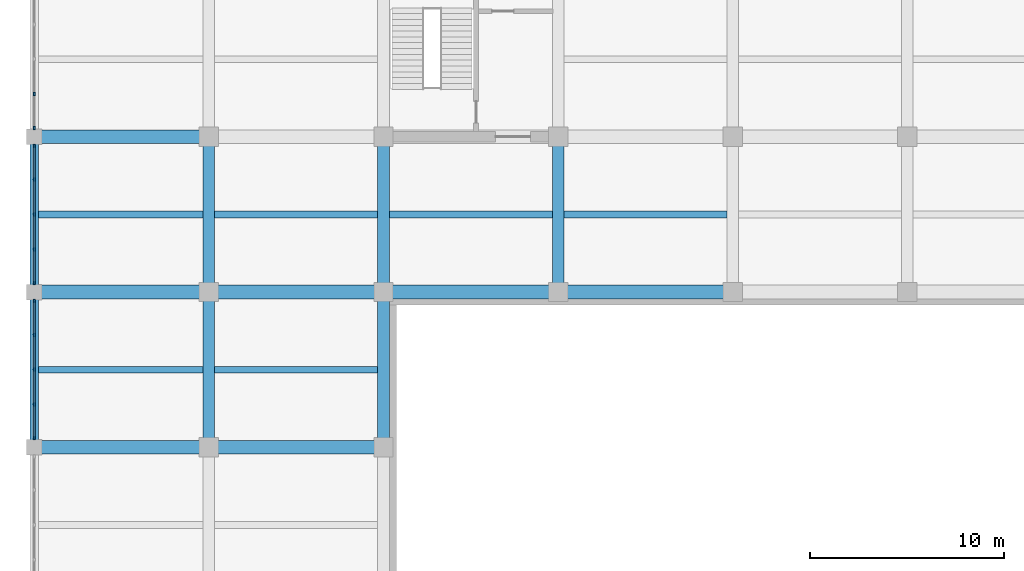
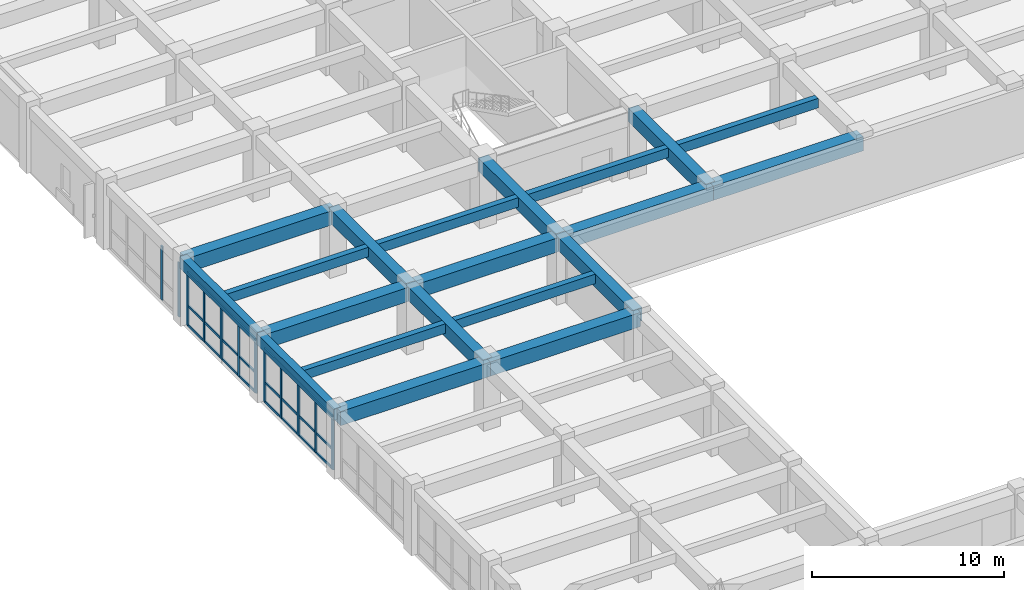
# One storey, part 13 of 50: 20 beams, 18 members, 3 elements without a shape of their own.
"""IFC4 building model written with IfcOpenShell, lengths in metres."""

from ifc_helpers import new_model, si_unit, direction, frame, origin, origin_2d, place, context, subcontext, project, spatial, rectangle, extrude, material, material_profile, profile_set, type_object, element, aggregate, save


model = new_model("IFC4")

# Units and contexts
model_context = context("Model", 3, precision=1e-05, world=origin(), true_north=direction((0.0, 1.0)))
body_context = subcontext(model_context, "Body", "Model", "MODEL_VIEW")
ifc_project = project(units=[si_unit("LENGTHUNIT", "METRE"), si_unit("AREAUNIT", "SQUARE_METRE"), si_unit("VOLUMEUNIT", "CUBIC_METRE"), si_unit("PLANEANGLEUNIT", "RADIAN"), si_unit("MASSUNIT", "GRAM", prefix="KILO")], contexts=[model_context])

# Site, building, storey
site_placement = place(None, origin())
site = spatial("IfcSite", under=ifc_project, at=site_placement, CompositionType="ELEMENT")
building_placement = place(site_placement, origin())
building = spatial("IfcBuilding", under=site, at=building_placement, Name="Zaverband Oceanarium and Marine Research Institute", CompositionType="ELEMENT")
storey_placement = place(building_placement, frame((0.0, 0.0, 9.0)))
storey = spatial("IfcBuildingStorey", under=building, at=storey_placement, Name="L02", CompositionType="ELEMENT", Elevation=9.0)

# Beams
ifc_material_1 = material(Name="Concrete C40/50", Category="concrete")
ifc_material_profile_1 = material_profile(ifc_material_1, rectangle(XDim=0.60009765625, YDim=0.85009765625, at=origin_2d()), Name="RC600x850")
ifc_profile_set_1 = profile_set([ifc_material_profile_1], Name="Concrete C40/50")
beam_type_1 = type_object("IfcBeamType", Name="BM-600x850", PredefinedType="BEAM", material=ifc_profile_set_1)
for number, where, z_axis, x_axis, name in (
    (1, (9.0, 64.0, 3.715087890625), (0.0, 1.0, 0.0), (-1.0, 0.0, 0.0), "Primary floor girder BM-600x850"),
    (2, (9.0, 72.0, 3.715087890625), (0.0, 1.0, 0.0), (-1.0, 0.0, 0.0), "Primary floor girder BM-600x850"),
    (3, (18.0, 64.0, 3.715087890625), (0.0, 1.0, 0.0), (-1.0, 0.0, 0.0), "Primary floor girder BM-600x850"),
    (4, (18.0, 72.0, 3.715087890625), (0.0, 1.0, 0.0), (-1.0, 0.0, 0.0), "Primary floor girder BM-600x850"),
    (5, (27.0, 72.0, 3.715087890625), (0.0, 1.0, 0.0), (-1.0, 0.0, 0.0), "Primary floor girder BM-600x850"),
):
    element("IfcBeam", number, at=place(storey_placement, frame(where, z_axis=z_axis, x_axis=x_axis)), inside=storey, type_object=beam_type_1, Name=name, PredefinedType="BEAM", context=body_context, shape_type="SweptSolid", body=[
        extrude(rectangle(XDim=0.60009765625, YDim=0.85009765625, at=origin_2d()), origin(), (0.0, 0.0, 1.0), 8.0),
    ])
ifc_material_profile_2 = material_profile(ifc_material_1, rectangle(XDim=0.699951171875, YDim=0.89990234375, at=origin_2d()), Name="RC700x900")
ifc_profile_set_2 = profile_set([ifc_material_profile_2], Name="Concrete C40/50")
beam_type_2 = type_object("IfcBeamType", Name="BM-700x900", PredefinedType="BEAM", material=ifc_profile_set_2)
for number, where, z_axis, x_axis, name in (
    (6, (0.0, 64.0, 3.68994140625), (1.0, 0.0, 0.0), (0.0, 1.0, 0.0), "Primary floor girder BM-700x900"),
    (7, (9.0, 64.0, 3.68994140625), (1.0, 0.0, 0.0), (0.0, 1.0, 0.0), "Primary floor girder BM-700x900"),
    (8, (0.0, 72.0, 3.68994140625), (1.0, 0.0, 0.0), (0.0, 1.0, 0.0), "Primary floor girder BM-700x900"),
    (9, (9.0, 72.0, 3.68994140625), (1.0, 0.0, 0.0), (0.0, 1.0, 0.0), "Primary floor girder BM-700x900"),
    (10, (18.0, 72.0, 3.68994140625), (1.0, 0.0, 0.0), (0.0, 1.0, 0.0), "Primary floor girder BM-700x900"),
    (11, (27.0, 72.0, 3.68994140625), (1.0, 0.0, 0.0), (0.0, 1.0, 0.0), "Primary floor girder BM-700x900"),
    (12, (0.0, 80.0, 3.68994140625), (1.0, 0.0, 0.0), (0.0, 1.0, 0.0), "Primary floor girder BM-700x900"),
):
    element("IfcBeam", number, at=place(storey_placement, frame(where, z_axis=z_axis, x_axis=x_axis)), inside=storey, type_object=beam_type_2, Name=name, PredefinedType="BEAM", context=body_context, shape_type="SweptSolid", body=[
        extrude(rectangle(XDim=0.699951171875, YDim=0.89990234375, at=origin_2d()), origin(), (0.0, 0.0, 1.0), 9.0),
    ])
ifc_material_profile_3 = material_profile(ifc_material_1, rectangle(XDim=0.35009765625, YDim=0.60009765625, at=origin_2d()), Name="RC350x600")
ifc_profile_set_3 = profile_set([ifc_material_profile_3], Name="Concrete C40/50")
beam_type_3 = type_object("IfcBeamType", Name="JST-350x600", PredefinedType="JOIST", material=ifc_profile_set_3)
for number, where, z_axis, x_axis, name in (
    (13, (0.22509765625, 68.0, 3.840087890625), (1.0, 0.0, 0.0), (0.0, 1.0, 0.0), "Secondary floor joist JST-350x600"),
    (14, (0.22509765625, 76.0, 3.840087890625), (1.0, 0.0, 0.0), (0.0, 1.0, 0.0), "Secondary floor joist JST-350x600"),
):
    element("IfcBeam", number, at=place(storey_placement, frame(where, z_axis=z_axis, x_axis=x_axis)), inside=storey, type_object=beam_type_3, Name=name, PredefinedType="JOIST", context=body_context, shape_type="SweptSolid", body=[
        extrude(rectangle(XDim=0.35009765625, YDim=0.60009765625, at=origin_2d()), origin(), (0.0, 0.0, 1.0), 8.474853515625),
    ])
for number, where, z_axis, x_axis, name in (
    (15, (9.300048828125, 68.0, 3.840087890625), (1.0, 0.0, 0.0), (0.0, 1.0, 0.0), "Secondary floor joist JST-350x600"),
    (16, (9.300048828125, 76.0, 3.840087890625), (1.0, 0.0, 0.0), (0.0, 1.0, 0.0), "Secondary floor joist JST-350x600"),
    (17, (18.300048828125, 76.0, 3.840087890625), (1.0, 0.0, 0.0), (0.0, 1.0, 0.0), "Secondary floor joist JST-350x600"),
    (18, (27.300048828125, 76.0, 3.840087890625), (1.0, 0.0, 0.0), (0.0, 1.0, 0.0), "Secondary floor joist JST-350x600"),
):
    element("IfcBeam", number, at=place(storey_placement, frame(where, z_axis=z_axis, x_axis=x_axis)), inside=storey, type_object=beam_type_3, Name=name, PredefinedType="JOIST", context=body_context, shape_type="SweptSolid", body=[
        extrude(rectangle(XDim=0.35009765625, YDim=0.60009765625, at=origin_2d()), origin(), (0.0, 0.0, 1.0), 8.39990234375),
    ])

# Curtain wall, members
ifc_material_2 = material(Name="Thermally broken anodized aluminium and solar-control glass", Category="aluminium")
curtain_wall_type = type_object("IfcCurtainWallType", Name="CW-UNIT-1800", PredefinedType="NOTDEFINED", material=ifc_material_2)
curtain_wall_1_placement = place(storey_placement, origin())
curtain_wall_1 = element("IfcCurtainWall", 19, at=curtain_wall_1_placement, inside=storey, type_object=curtain_wall_type, Name="Unitised glazed curtain wall CW-055", PredefinedType="NOTDEFINED")
ifc_material_3 = material(Name="Thermally broken anodized aluminium", Category="aluminium")
ifc_material_profile_4 = material_profile(ifc_material_3, rectangle(XDim=0.080078125, YDim=0.179931640625, at=origin_2d()), Name="AL-MUL-80x180")
ifc_profile_set_4 = profile_set([ifc_material_profile_4], Name="Thermally broken anodized aluminium")
member_type_1 = type_object("IfcMemberType", Name="MUL-80x180", PredefinedType="MULLION", material=ifc_profile_set_4)
member_1_placement = place(storey_placement, frame((0.0, 64.465087890625, 0.0), z_axis=(0.0, 0.0, 1.0), x_axis=(1.0, 0.0, 0.0)))
member_1 = element("IfcMember", 20, at=member_1_placement, type_object=member_type_1, Name="Curtain wall vertical mullion MUL-80x180", PredefinedType="MULLION", context=body_context, shape_type="SweptSolid", body=[
    extrude(rectangle(XDim=0.080078125, YDim=0.179931640625, at=origin_2d()), origin(), (0.0, 0.0, 1.0), 3.419921875),
])
member_2_placement = place(storey_placement, frame((0.0, 66.202392578125, 0.0), z_axis=(0.0, 0.0, 1.0), x_axis=(1.0, 0.0, 0.0)))
member_2 = element("IfcMember", 21, at=member_2_placement, type_object=member_type_1, Name="Curtain wall vertical mullion MUL-80x180", PredefinedType="MULLION", context=body_context, shape_type="SweptSolid", body=[
    extrude(rectangle(XDim=0.080078125, YDim=0.179931640625, at=origin_2d()), origin(), (0.0, 0.0, 1.0), 3.419921875),
])
member_3_placement = place(storey_placement, frame((0.0, 68.0, 0.0), z_axis=(0.0, 0.0, 1.0), x_axis=(1.0, 0.0, 0.0)))
member_3 = element("IfcMember", 22, at=member_3_placement, type_object=member_type_1, Name="Curtain wall vertical mullion MUL-80x180", PredefinedType="MULLION", context=body_context, shape_type="SweptSolid", body=[
    extrude(rectangle(XDim=0.080078125, YDim=0.179931640625, at=origin_2d()), origin(), (0.0, 0.0, 1.0), 3.419921875),
])
member_4_placement = place(storey_placement, frame((0.0, 69.797607421875, 0.0), z_axis=(0.0, 0.0, 1.0), x_axis=(1.0, 0.0, 0.0)))
member_4 = element("IfcMember", 23, at=member_4_placement, type_object=member_type_1, Name="Curtain wall vertical mullion MUL-80x180", PredefinedType="MULLION", context=body_context, shape_type="SweptSolid", body=[
    extrude(rectangle(XDim=0.080078125, YDim=0.179931640625, at=origin_2d()), origin(), (0.0, 0.0, 1.0), 3.419921875),
])
member_5_placement = place(storey_placement, frame((0.0, 71.534912109375, 0.0), z_axis=(0.0, 0.0, 1.0), x_axis=(1.0, 0.0, 0.0)))
member_5 = element("IfcMember", 24, at=member_5_placement, type_object=member_type_1, Name="Curtain wall vertical mullion MUL-80x180", PredefinedType="MULLION", context=body_context, shape_type="SweptSolid", body=[
    extrude(rectangle(XDim=0.080078125, YDim=0.179931640625, at=origin_2d()), origin(), (0.0, 0.0, 1.0), 3.419921875),
])

curtain_wall_2_placement = place(storey_placement, origin())
curtain_wall_2 = element("IfcCurtainWall", 25, at=curtain_wall_2_placement, inside=storey, type_object=curtain_wall_type, Name="Unitised glazed curtain wall CW-056", PredefinedType="NOTDEFINED")
member_6_placement = place(storey_placement, frame((0.0, 72.465087890625, 0.0), z_axis=(0.0, 0.0, 1.0), x_axis=(1.0, 0.0, 0.0)))
member_6 = element("IfcMember", 26, at=member_6_placement, type_object=member_type_1, Name="Curtain wall vertical mullion MUL-80x180", PredefinedType="MULLION", context=body_context, shape_type="SweptSolid", body=[
    extrude(rectangle(XDim=0.080078125, YDim=0.179931640625, at=origin_2d()), origin(), (0.0, 0.0, 1.0), 3.419921875),
])
member_7_placement = place(storey_placement, frame((0.0, 74.202392578125, 0.0), z_axis=(0.0, 0.0, 1.0), x_axis=(1.0, 0.0, 0.0)))
member_7 = element("IfcMember", 27, at=member_7_placement, type_object=member_type_1, Name="Curtain wall vertical mullion MUL-80x180", PredefinedType="MULLION", context=body_context, shape_type="SweptSolid", body=[
    extrude(rectangle(XDim=0.080078125, YDim=0.179931640625, at=origin_2d()), origin(), (0.0, 0.0, 1.0), 3.419921875),
])
member_8_placement = place(storey_placement, frame((0.0, 76.0, 0.0), z_axis=(0.0, 0.0, 1.0), x_axis=(1.0, 0.0, 0.0)))
member_8 = element("IfcMember", 28, at=member_8_placement, type_object=member_type_1, Name="Curtain wall vertical mullion MUL-80x180", PredefinedType="MULLION", context=body_context, shape_type="SweptSolid", body=[
    extrude(rectangle(XDim=0.080078125, YDim=0.179931640625, at=origin_2d()), origin(), (0.0, 0.0, 1.0), 3.419921875),
])
member_9_placement = place(storey_placement, frame((0.0, 77.797607421875, 0.0), z_axis=(0.0, 0.0, 1.0), x_axis=(1.0, 0.0, 0.0)))
member_9 = element("IfcMember", 29, at=member_9_placement, type_object=member_type_1, Name="Curtain wall vertical mullion MUL-80x180", PredefinedType="MULLION", context=body_context, shape_type="SweptSolid", body=[
    extrude(rectangle(XDim=0.080078125, YDim=0.179931640625, at=origin_2d()), origin(), (0.0, 0.0, 1.0), 3.419921875),
])
member_10_placement = place(storey_placement, frame((0.0, 79.534912109375, 0.0), z_axis=(0.0, 0.0, 1.0), x_axis=(1.0, 0.0, 0.0)))
member_10 = element("IfcMember", 30, at=member_10_placement, type_object=member_type_1, Name="Curtain wall vertical mullion MUL-80x180", PredefinedType="MULLION", context=body_context, shape_type="SweptSolid", body=[
    extrude(rectangle(XDim=0.080078125, YDim=0.179931640625, at=origin_2d()), origin(), (0.0, 0.0, 1.0), 3.419921875),
])

curtain_wall_3_placement = place(storey_placement, origin())
curtain_wall_3 = element("IfcCurtainWall", 31, at=curtain_wall_3_placement, inside=storey, type_object=curtain_wall_type, Name="Unitised glazed curtain wall CW-057", PredefinedType="NOTDEFINED")
member_11_placement = place(storey_placement, frame((0.0, 80.465087890625, 0.0), z_axis=(0.0, 0.0, 1.0), x_axis=(1.0, 0.0, 0.0)))
member_11 = element("IfcMember", 32, at=member_11_placement, type_object=member_type_1, Name="Curtain wall vertical mullion MUL-80x180", PredefinedType="MULLION", context=body_context, shape_type="SweptSolid", body=[
    extrude(rectangle(XDim=0.080078125, YDim=0.179931640625, at=origin_2d()), origin(), (0.0, 0.0, 1.0), 3.419921875),
])
member_12_placement = place(storey_placement, frame((0.0, 82.202392578125, 0.0), z_axis=(0.0, 0.0, 1.0), x_axis=(1.0, 0.0, 0.0)))
member_12 = element("IfcMember", 33, at=member_12_placement, type_object=member_type_1, Name="Curtain wall vertical mullion MUL-80x180", PredefinedType="MULLION", context=body_context, shape_type="SweptSolid", body=[
    extrude(rectangle(XDim=0.080078125, YDim=0.179931640625, at=origin_2d()), origin(), (0.0, 0.0, 1.0), 3.419921875),
])
aggregate(curtain_wall_3, [member_11, member_12])

# Beams
ifc_material_profile_5 = material_profile(ifc_material_1, rectangle(XDim=0.449951171875, YDim=0.699951171875, at=origin_2d()), Name="RC450x700")
ifc_profile_set_5 = profile_set([ifc_material_profile_5], Name="Concrete C40/50")
beam_type_4 = type_object("IfcBeamType", Name="SPN-450x700", PredefinedType="SPANDREL", material=ifc_profile_set_5)
for number, where, z_axis, x_axis, name in (
    (34, (0.0, 64.0, 3.7900390625), (0.0, 1.0, 0.0), (-1.0, 0.0, 0.0), "Perimeter spandrel beam SPN-450x700"),
    (35, (0.0, 72.0, 3.7900390625), (0.0, 1.0, 0.0), (-1.0, 0.0, 0.0), "Perimeter spandrel beam SPN-450x700"),
):
    element("IfcBeam", number, at=place(storey_placement, frame(where, z_axis=z_axis, x_axis=x_axis)), inside=storey, type_object=beam_type_4, Name=name, PredefinedType="SPANDREL", context=body_context, shape_type="SweptSolid", body=[
        extrude(rectangle(XDim=0.449951171875, YDim=0.699951171875, at=origin_2d()), origin(), (0.0, 0.0, 1.0), 8.0),
    ])

# Member
ifc_material_profile_6 = material_profile(ifc_material_3, rectangle(XDim=0.080078125, YDim=0.139892578125, at=origin_2d()), Name="AL-TRN-80x140")
ifc_profile_set_6 = profile_set([ifc_material_profile_6], Name="Thermally broken anodized aluminium")
member_type_2 = type_object("IfcMemberType", Name="TRN-80x140", PredefinedType="USERDEFINED", material=ifc_profile_set_6)
member_13_placement = place(storey_placement, frame((0.0, 64.465087890625, 0.050048828125), z_axis=(0.0, 1.0, 0.0), x_axis=(-1.0, 0.0, 0.0)))
member_13 = element("IfcMember", 36, at=member_13_placement, type_object=member_type_2, Name="Curtain wall horizontal transom TRN-80x140", ObjectType="TRANSOM", PredefinedType="USERDEFINED", context=body_context, shape_type="SweptSolid", body=[
    extrude(rectangle(XDim=0.080078125, YDim=0.139892578125, at=origin_2d()), origin(), (0.0, 0.0, 1.0), 7.06982421875),
])

member_14_placement = place(storey_placement, frame((0.0, 64.465087890625, 1.277099609375), z_axis=(0.0, 1.0, 0.0), x_axis=(-1.0, 0.0, 0.0)))
member_14 = element("IfcMember", 37, at=member_14_placement, type_object=member_type_2, Name="Curtain wall horizontal transom TRN-80x140", ObjectType="TRANSOM", PredefinedType="USERDEFINED", context=body_context, shape_type="SweptSolid", body=[
    extrude(rectangle(XDim=0.080078125, YDim=0.139892578125, at=origin_2d()), origin(), (0.0, 0.0, 1.0), 7.06982421875),
])

member_15_placement = place(storey_placement, frame((0.0, 64.465087890625, 3.3701171875), z_axis=(0.0, 1.0, 0.0), x_axis=(-1.0, 0.0, 0.0)))
member_15 = element("IfcMember", 38, at=member_15_placement, type_object=member_type_2, Name="Curtain wall horizontal transom TRN-80x140", ObjectType="TRANSOM", PredefinedType="USERDEFINED", context=body_context, shape_type="SweptSolid", body=[
    extrude(rectangle(XDim=0.080078125, YDim=0.139892578125, at=origin_2d()), origin(), (0.0, 0.0, 1.0), 7.06982421875),
])

aggregate(curtain_wall_1, [member_1, member_2, member_3, member_4, member_5, member_13, member_14, member_15])

member_16_placement = place(storey_placement, frame((0.0, 72.465087890625, 0.050048828125), z_axis=(0.0, 1.0, 0.0), x_axis=(-1.0, 0.0, 0.0)))
member_16 = element("IfcMember", 39, at=member_16_placement, type_object=member_type_2, Name="Curtain wall horizontal transom TRN-80x140", ObjectType="TRANSOM", PredefinedType="USERDEFINED", context=body_context, shape_type="SweptSolid", body=[
    extrude(rectangle(XDim=0.080078125, YDim=0.139892578125, at=origin_2d()), origin(), (0.0, 0.0, 1.0), 7.06982421875),
])

member_17_placement = place(storey_placement, frame((0.0, 72.465087890625, 1.277099609375), z_axis=(0.0, 1.0, 0.0), x_axis=(-1.0, 0.0, 0.0)))
member_17 = element("IfcMember", 40, at=member_17_placement, type_object=member_type_2, Name="Curtain wall horizontal transom TRN-80x140", ObjectType="TRANSOM", PredefinedType="USERDEFINED", context=body_context, shape_type="SweptSolid", body=[
    extrude(rectangle(XDim=0.080078125, YDim=0.139892578125, at=origin_2d()), origin(), (0.0, 0.0, 1.0), 7.06982421875),
])

member_18_placement = place(storey_placement, frame((0.0, 72.465087890625, 3.3701171875), z_axis=(0.0, 1.0, 0.0), x_axis=(-1.0, 0.0, 0.0)))
member_18 = element("IfcMember", 41, at=member_18_placement, type_object=member_type_2, Name="Curtain wall horizontal transom TRN-80x140", ObjectType="TRANSOM", PredefinedType="USERDEFINED", context=body_context, shape_type="SweptSolid", body=[
    extrude(rectangle(XDim=0.080078125, YDim=0.139892578125, at=origin_2d()), origin(), (0.0, 0.0, 1.0), 7.06982421875),
])

aggregate(curtain_wall_2, [member_6, member_7, member_8, member_9, member_10, member_16, member_17, member_18])

save(model, "model.ifc")
